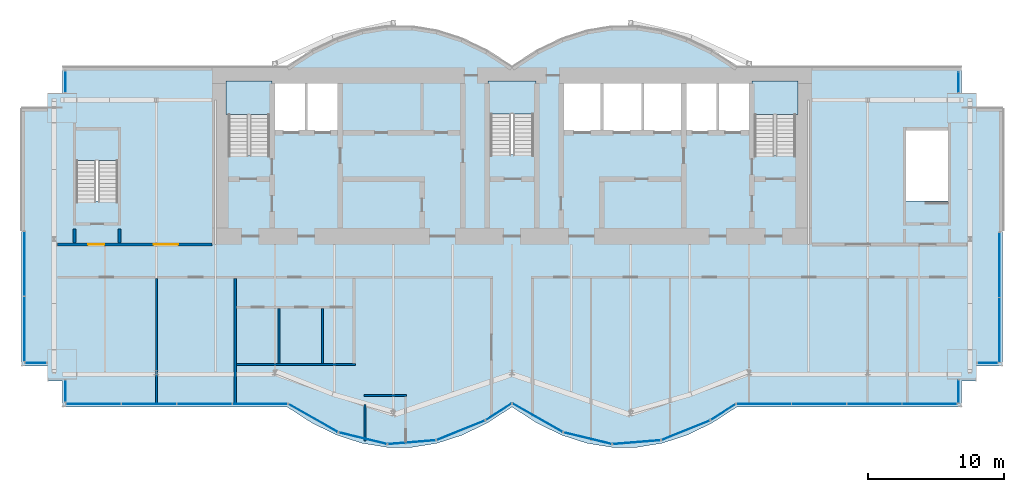
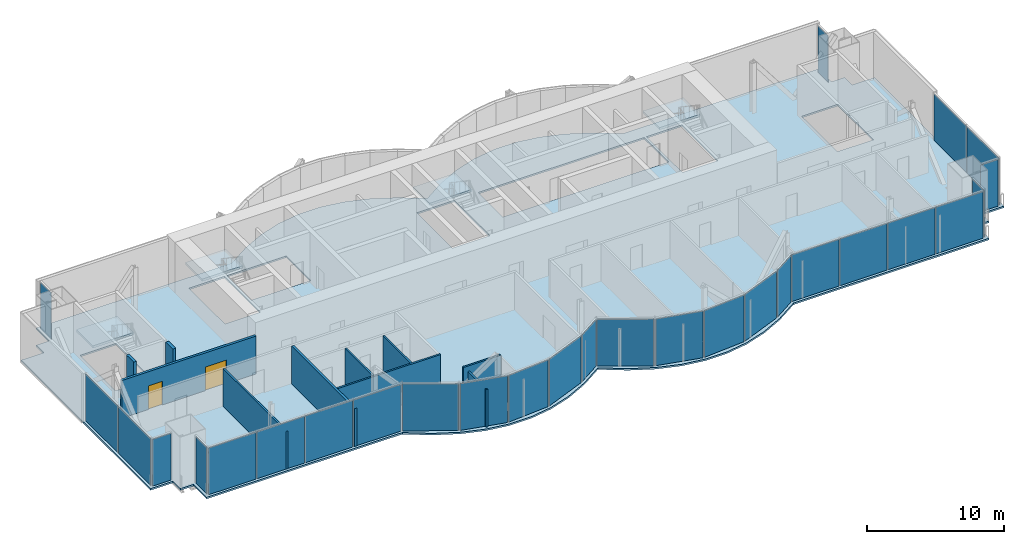
# One storey, part 9 of 16: 28 plates, 10 walls, 5 slabs, 2 doors, 2 openings, 16 elements without a shape of their own.
"""IFC4 building model written with IfcOpenShell, lengths in metres."""

from ifc_helpers import new_model, si_unit, direction, frame, frame_2d, origin, origin_2d, place, context, subcontext, project, spatial, polyline, rectangle, outline, extrude, material, layer, layer_set, type_object, element, fill, aggregate, save


model = new_model("IFC4")

# Units and contexts
model_context = context("Model", 3, precision=1e-05, world=origin(), true_north=direction((0.0, 1.0)))
body_context = subcontext(model_context, "Body", "Model", "MODEL_VIEW")
ifc_project = project(units=[si_unit("LENGTHUNIT", "METRE"), si_unit("AREAUNIT", "SQUARE_METRE"), si_unit("VOLUMEUNIT", "CUBIC_METRE"), si_unit("PLANEANGLEUNIT", "RADIAN"), si_unit("MASSUNIT", "GRAM", prefix="KILO")], contexts=[model_context])

# Site, building, storey
site_placement = place(None, origin())
site = spatial("IfcSite", under=ifc_project, at=site_placement, CompositionType="ELEMENT")
building_placement = place(site_placement, origin())
building = spatial("IfcBuilding", under=site, at=building_placement, Name="Bicima Exchange Tower", CompositionType="ELEMENT")
storey_placement = place(building_placement, frame((0.0, 0.0, 338.0)))
storey = spatial("IfcBuildingStorey", under=building, at=storey_placement, Name="L76", CompositionType="ELEMENT", Elevation=338.0)

# Slab
ifc_material_1 = material(Name="Concrete C40/50", Category="concrete")
ifc_layer_1 = layer(ifc_material_1, 0.14990234375)
ifc_layer_set_1 = layer_set([ifc_layer_1], Name="Concrete C40/50")
slab_type_1 = type_object("IfcSlabType", Name="Composite floor slab 150", PredefinedType="FLOOR", material=ifc_layer_set_1)
slab_1_placement = place(storey_placement, frame((0.0, 0.0, -0.14990234375)))
element("IfcSlab", 1, at=slab_1_placement, inside=storey, type_object=slab_type_1, Name="Floor slab", PredefinedType="FLOOR", context=body_context, shape_type="SweptSolid", body=[
    extrude(outline(polyline([(-36.0, -21.919921875), (-36.0, -3.0), (-34.10009765625, -3.0), (-34.10009765625, -1.89990234375), (-33.0, -1.89990234375), (-33.0, 0.0), (-16.5, 0.0), (-14.666748046875, 1.185302734375), (-12.833251953125, 2.07421875), (-11.0, 2.666748046875), (-9.166748046875, 2.962890625), (-7.333251953125, 2.962890625), (-5.5, 2.666748046875), (-3.666748046875, 2.07421875), (-1.833251953125, 1.185302734375), (0.0, 0.0), (1.833251953125, 1.185302734375), (3.666748046875, 2.07421875), (5.5, 2.666748046875), (7.333251953125, 2.962890625), (9.166748046875, 2.962890625), (11.0, 2.666748046875), (12.833251953125, 2.07421875), (14.666748046875, 1.185302734375), (16.5, 0.0), (33.0, 0.0), (33.0, -1.89990234375), (34.10009765625, -1.89990234375), (34.10009765625, -3.0), (36.0, -3.0), (36.0, -21.919921875), (34.10009765625, -21.919921875), (34.10009765625, -23.02001953125), (33.0, -23.02001953125), (33.0, -24.919921875), (16.5, -24.919921875), (14.666748046875, -26.105224609375), (12.833251953125, -26.994140625), (11.0, -27.586669921875), (9.166748046875, -27.883056640625), (7.333251953125, -27.883056640625), (5.5, -27.586669921875), (3.666748046875, -26.994140625), (1.833251953125, -26.105224609375), (0.0, -24.919921875), (-1.833251953125, -26.105224609375), (-3.666748046875, -26.994140625), (-5.5, -27.586669921875), (-7.333251953125, -27.883056640625), (-9.166748046875, -27.883056640625), (-11.0, -27.586669921875), (-12.833251953125, -26.994140625), (-14.666748046875, -26.105224609375), (-16.5, -24.919921875), (-33.0, -24.919921875), (-33.0, -23.02001953125), (-34.10009765625, -23.02001953125), (-34.10009765625, -21.919921875), (-36.0, -21.919921875)]), holes=[polyline([(-28.925048828125, -9.824951171875), (-28.925048828125, -4.625), (-31.97509765625, -4.625), (-31.97509765625, -9.824951171875), (-28.925048828125, -9.824951171875)]), polyline([(-20.800048828125, -6.449951171875), (-17.800048828125, -6.449951171875), (-17.800048828125, -1.199951171875), (-20.800048828125, -1.199951171875), (-20.800048828125, -6.449951171875)]), polyline([(-1.574951171875, -6.39990234375), (1.574951171875, -6.39990234375), (1.574951171875, -1.199951171875), (-1.574951171875, -1.199951171875), (-1.574951171875, -6.39990234375)]), polyline([(-12.60009765625, -1.199951171875), (-15.10009765625, -1.199951171875), (-17.60009765625, -1.199951171875), (-17.60009765625, -4.800048828125), (-15.10009765625, -4.800048828125), (-12.60009765625, -4.800048828125), (-12.60009765625, -1.199951171875)]), polyline([(3.60009765625, -4.800048828125), (6.60009765625, -4.800048828125), (9.60009765625, -4.800048828125), (12.60009765625, -4.800048828125), (15.10009765625, -4.800048828125), (17.60009765625, -4.800048828125), (17.60009765625, -1.199951171875), (15.10009765625, -1.199951171875), (12.60009765625, -1.199951171875), (9.60009765625, -1.199951171875), (6.60009765625, -1.199951171875), (3.60009765625, -1.199951171875), (3.60009765625, -4.800048828125)]), polyline([(31.97509765625, -9.824951171875), (31.97509765625, -4.625), (28.925048828125, -4.625), (28.925048828125, -9.824951171875), (31.97509765625, -9.824951171875)]), polyline([(17.800048828125, -6.449951171875), (20.800048828125, -6.449951171875), (20.800048828125, -1.199951171875), (17.800048828125, -1.199951171875), (17.800048828125, -6.449951171875)])]), origin(), (0.0, 0.0, 1.0), 0.14990234375),
])

# Curtain wall, plate
ifc_material_2 = material(Name="Anodised bronze aluminium", Category="aluminium")
curtain_wall_type_1 = type_object("IfcCurtainWallType", Name="End face glass wall", PredefinedType="NOTDEFINED", material=ifc_material_2)
curtain_wall_1_placement = place(storey_placement, origin())
curtain_wall_1 = element("IfcCurtainWall", 2, at=curtain_wall_1_placement, inside=storey, type_object=curtain_wall_type_1, Name="End face glass wall L76 run 2", PredefinedType="NOTDEFINED")
ifc_material_3 = material(Name="Bronze tinted glass", Category="glass")
ifc_layer_2 = layer(ifc_material_3, 0.031982421875)
ifc_layer_set_2 = layer_set([ifc_layer_2], Name="Bronze tinted glass")
plate_type_1 = type_object("IfcPlateType", Name="End face glass wall glass panel 32", PredefinedType="CURTAIN_PANEL", material=ifc_layer_set_2)
plate_1_placement = place(storey_placement, frame((-35.77001953125, -14.41748046875, 0.0), z_axis=(0.0, 0.0, 1.0), x_axis=(0.0, -1.0, 0.0)))
plate_1 = element("IfcPlate", 3, at=plate_1_placement, type_object=plate_type_1, Name="End face glass wall panel 1.1", PredefinedType="CURTAIN_PANEL", context=body_context, shape_type="SweptSolid", body=[
    extrude(rectangle(XDim=4.715087890625, YDim=0.031982421875, at=origin_2d()), origin(), (0.0, 0.0, 1.0), 4.159912109375),
])

curtain_wall_2_placement = place(storey_placement, origin())
curtain_wall_2 = element("IfcCurtainWall", 4, at=curtain_wall_2_placement, inside=storey, type_object=curtain_wall_type_1, Name="End face glass wall L76 run 19", PredefinedType="NOTDEFINED")
plate_2_placement = place(storey_placement, frame((35.77001953125, -14.49755859375, 0.0), z_axis=(0.0, 0.0, 1.0), x_axis=(0.0, 1.0, 0.0)))
plate_2 = element("IfcPlate", 5, at=plate_2_placement, type_object=plate_type_1, Name="End face glass wall panel 2.1", PredefinedType="CURTAIN_PANEL", context=body_context, shape_type="SweptSolid", body=[
    extrude(rectangle(XDim=4.715087890625, YDim=0.031982421875, at=origin_2d()), origin(), (0.0, 0.0, 1.0), 4.159912109375),
])

# Plate
ifc_material_4 = material(Name="Bronze anodised aluminium", Category="aluminium")
ifc_layer_3 = layer(ifc_material_4, 0.031982421875)
ifc_layer_set_3 = layer_set([ifc_layer_3], Name="Bronze anodised aluminium")
plate_type_2 = type_object("IfcPlateType", Name="End face glass wall spandrel panel 32", PredefinedType="CURTAIN_PANEL", material=ifc_layer_set_3)
plate_3_placement = place(storey_placement, frame((-35.77001953125, -19.1923828125, 0.0), z_axis=(0.0, 0.0, 1.0), x_axis=(0.0, -1.0, 0.0)))
plate_3 = element("IfcPlate", 6, at=plate_3_placement, type_object=plate_type_2, Name="End face spandrel wall panel 2.1", PredefinedType="CURTAIN_PANEL", context=body_context, shape_type="SweptSolid", body=[
    extrude(rectangle(XDim=4.715087890625, YDim=0.031982421875, at=origin_2d()), origin(), (0.0, 0.0, 1.0), 4.159912109375),
])

aggregate(curtain_wall_1, [plate_1, plate_3])

plate_4_placement = place(storey_placement, frame((35.77001953125, -19.2724609375, 0.0), z_axis=(0.0, 0.0, 1.0), x_axis=(0.0, 1.0, 0.0)))
plate_4 = element("IfcPlate", 7, at=plate_4_placement, type_object=plate_type_2, Name="End face spandrel wall panel 1.1", PredefinedType="CURTAIN_PANEL", context=body_context, shape_type="SweptSolid", body=[
    extrude(rectangle(XDim=4.715087890625, YDim=0.031982421875, at=origin_2d()), origin(), (0.0, 0.0, 1.0), 4.159912109375),
])

aggregate(curtain_wall_2, [plate_4, plate_2])

# Curtain wall, plate
curtain_wall_type_2 = type_object("IfcCurtainWallType", Name="Front glass wall", PredefinedType="NOTDEFINED", material=ifc_material_2)
curtain_wall_3_placement = place(storey_placement, origin())
curtain_wall_3 = element("IfcCurtainWall", 8, at=curtain_wall_3_placement, inside=storey, type_object=curtain_wall_type_2, Name="Front glass wall L76 run 1", PredefinedType="NOTDEFINED")
ifc_layer_4 = layer(ifc_material_3, 0.031982421875)
ifc_layer_set_4 = layer_set([ifc_layer_4], Name="Bronze tinted glass")
plate_type_3 = type_object("IfcPlateType", Name="Front glass wall glass panel 32", PredefinedType="CURTAIN_PANEL", material=ifc_layer_set_4)
plate_5_placement = place(storey_placement, frame((-32.77001953125, -1.06494140625, 0.0), z_axis=(0.0, 0.0, 1.0), x_axis=(0.0, -1.0, 0.0)))
plate_5 = element("IfcPlate", 9, at=plate_5_placement, type_object=plate_type_3, Name="Front glass wall panel 1.1", PredefinedType="CURTAIN_PANEL", context=body_context, shape_type="SweptSolid", body=[
    extrude(rectangle(XDim=1.550048828125, YDim=0.031982421875, at=origin_2d()), origin(), (0.0, 0.0, 1.0), 4.159912109375),
])
aggregate(curtain_wall_3, [plate_5])

curtain_wall_4_placement = place(storey_placement, origin())
curtain_wall_4 = element("IfcCurtainWall", 10, at=curtain_wall_4_placement, inside=storey, type_object=curtain_wall_type_2, Name="Front glass wall L76 run 3", PredefinedType="NOTDEFINED")
plate_6_placement = place(storey_placement, frame((-34.93505859375, -21.68994140625, 0.0), z_axis=(0.0, 0.0, 1.0), x_axis=(1.0, 0.0, 0.0)))
plate_6 = element("IfcPlate", 11, at=plate_6_placement, type_object=plate_type_3, Name="Front glass wall panel 1.1", PredefinedType="CURTAIN_PANEL", context=body_context, shape_type="SweptSolid", body=[
    extrude(rectangle(XDim=1.550048828125, YDim=0.031982421875, at=origin_2d()), origin(), (0.0, 0.0, 1.0), 4.159912109375),
])
aggregate(curtain_wall_4, [plate_6])

curtain_wall_5_placement = place(storey_placement, origin())
curtain_wall_5 = element("IfcCurtainWall", 12, at=curtain_wall_5_placement, inside=storey, type_object=curtain_wall_type_2, Name="Front glass wall L76 run 4", PredefinedType="NOTDEFINED")
plate_7_placement = place(storey_placement, frame((-32.77001953125, -23.75390625, 0.0), z_axis=(0.0, 0.0, 1.0), x_axis=(0.0, -1.0, 0.0)))
plate_7 = element("IfcPlate", 13, at=plate_7_placement, type_object=plate_type_3, Name="Front glass wall panel 1.1", PredefinedType="CURTAIN_PANEL", context=body_context, shape_type="SweptSolid", body=[
    extrude(rectangle(XDim=1.592041015625, YDim=0.031982421875, at=origin_2d()), origin(), (0.0, 0.0, 1.0), 4.159912109375),
])
aggregate(curtain_wall_5, [plate_7])

# Curtain wall, plates
curtain_wall_6_placement = place(storey_placement, origin())
curtain_wall_6 = element("IfcCurtainWall", 14, at=curtain_wall_6_placement, inside=storey, type_object=curtain_wall_type_2, Name="Front glass wall L76 run 5", PredefinedType="NOTDEFINED")
plate_8_placement = place(storey_placement, frame((-22.56640625, -24.68994140625, 0.0), z_axis=(0.0, 0.0, 1.0), x_axis=(1.0, 0.0, 0.0)))
plate_8 = element("IfcPlate", 15, at=plate_8_placement, type_object=plate_type_3, Name="Front glass wall panel 3.1", PredefinedType="CURTAIN_PANEL", context=body_context, shape_type="SweptSolid", body=[
    extrude(rectangle(XDim=4.009521484375, YDim=0.031982421875, at=origin_2d()), origin(), (0.0, 0.0, 1.0), 4.159912109375),
])
plate_9_placement = place(storey_placement, frame((-18.496826171875, -24.68994140625, 0.0), z_axis=(0.0, 0.0, 1.0), x_axis=(1.0, 0.0, 0.0)))
plate_9 = element("IfcPlate", 16, at=plate_9_placement, type_object=plate_type_3, Name="Front glass wall panel 4.1", PredefinedType="CURTAIN_PANEL", context=body_context, shape_type="SweptSolid", body=[
    extrude(rectangle(XDim=4.009521484375, YDim=0.031982421875, at=origin_2d()), origin(), (0.0, 0.0, 1.0), 4.159912109375),
])

curtain_wall_7_placement = place(storey_placement, origin())
curtain_wall_7 = element("IfcCurtainWall", 17, at=curtain_wall_7_placement, inside=storey, type_object=curtain_wall_type_2, Name="Front glass wall L76 run 6", PredefinedType="NOTDEFINED")
plate_10_placement = place(storey_placement, frame((-14.589599609375, -25.735107421875, 0.0), z_axis=(0.0, 0.0, 1.0), x_axis=(0.869805110681, -0.493395449343, 0.0)))
plate_10 = element("IfcPlate", 18, at=plate_10_placement, type_object=plate_type_3, Name="Front glass wall panel 1.1", PredefinedType="CURTAIN_PANEL", context=body_context, shape_type="SweptSolid", body=[
    extrude(rectangle(XDim=4.1162109375, YDim=0.031982421875, at=origin_2d()), origin(), (0.0, 0.0, 1.0), 4.159912109375),
])
plate_11_placement = place(storey_placement, frame((-10.94775390625, -27.216552734375, 0.0), z_axis=(0.0, 0.0, 1.0), x_axis=(0.971830343553, -0.235681529503, 0.0)))
plate_11 = element("IfcPlate", 19, at=plate_11_placement, type_object=plate_type_3, Name="Front glass wall panel 1.1", PredefinedType="CURTAIN_PANEL", context=body_context, shape_type="SweptSolid", body=[
    extrude(rectangle(XDim=3.583251953125, YDim=0.031982421875, at=origin_2d()), origin(), (0.0, 0.0, 1.0), 4.159912109375),
])
plate_12_placement = place(storey_placement, frame((-0.97314453125, -25.275146484375, 0.0), z_axis=(0.0, 0.0, 1.0), x_axis=(0.839798994301, 0.542897457326, 0.0)))
plate_12 = element("IfcPlate", 20, at=plate_12_placement, type_object=plate_type_3, Name="Front glass wall panel 1.1", PredefinedType="CURTAIN_PANEL", context=body_context, shape_type="SweptSolid", body=[
    extrude(rectangle(XDim=2.197509765625, YDim=0.031982421875, at=origin_2d()), origin(), (0.0, 0.0, 1.0), 4.159912109375),
])

curtain_wall_8_placement = place(storey_placement, origin())
curtain_wall_8 = element("IfcCurtainWall", 21, at=curtain_wall_8_placement, inside=storey, type_object=curtain_wall_type_2, Name="Front glass wall L76 run 11", PredefinedType="NOTDEFINED")
plate_13_placement = place(storey_placement, frame((9.14892578125, -27.5078125, 0.0), z_axis=(0.0, 0.0, 1.0), x_axis=(0.99674744821, 0.080588612633, 0.0)))
plate_13 = element("IfcPlate", 22, at=plate_13_placement, type_object=plate_type_3, Name="Front glass wall panel 1.1", PredefinedType="CURTAIN_PANEL", context=body_context, shape_type="SweptSolid", body=[
    extrude(rectangle(XDim=3.486083984375, YDim=0.031982421875, at=origin_2d()), origin(), (0.0, 0.0, 1.0), 4.159912109375),
])
plate_14_placement = place(storey_placement, frame((12.749755859375, -26.63330078125, 0.0), z_axis=(0.0, 0.0, 1.0), x_axis=(0.92714396679, 0.374705304, 0.0)))
plate_14 = element("IfcPlate", 23, at=plate_14_placement, type_object=plate_type_3, Name="Front glass wall panel 1.1", PredefinedType="CURTAIN_PANEL", context=body_context, shape_type="SweptSolid", body=[
    extrude(rectangle(XDim=3.771240234375, YDim=0.031982421875, at=origin_2d()), origin(), (0.0, 0.0, 1.0), 4.159912109375),
])
plate_15_placement = place(storey_placement, frame((15.492919921875, -25.297119140625, 0.0), z_axis=(0.0, 0.0, 1.0), x_axis=(0.839791413941, 0.542909183079, 0.0)))
plate_15 = element("IfcPlate", 24, at=plate_15_placement, type_object=plate_type_3, Name="Front glass wall panel 1.1", PredefinedType="CURTAIN_PANEL", context=body_context, shape_type="SweptSolid", body=[
    extrude(rectangle(XDim=2.11669921875, YDim=0.031982421875, at=origin_2d()), origin(), (0.0, 0.0, 1.0), 4.159912109375),
])

curtain_wall_9_placement = place(storey_placement, origin())
curtain_wall_9 = element("IfcCurtainWall", 25, at=curtain_wall_9_placement, inside=storey, type_object=curtain_wall_type_2, Name="Front glass wall L76 run 16", PredefinedType="NOTDEFINED")
plate_16_placement = place(storey_placement, frame((18.48681640625, -24.68994140625, 0.0), z_axis=(0.0, 0.0, 1.0), x_axis=(1.0, 0.0, 0.0)))
plate_16 = element("IfcPlate", 26, at=plate_16_placement, type_object=plate_type_3, Name="Front glass wall panel 1.1", PredefinedType="CURTAIN_PANEL", context=body_context, shape_type="SweptSolid", body=[
    extrude(rectangle(XDim=3.989501953125, YDim=0.031982421875, at=origin_2d()), origin(), (0.0, 0.0, 1.0), 4.159912109375),
])
plate_17_placement = place(storey_placement, frame((22.536376953125, -24.68994140625, 0.0), z_axis=(0.0, 0.0, 1.0), x_axis=(1.0, 0.0, 0.0)))
plate_17 = element("IfcPlate", 27, at=plate_17_placement, type_object=plate_type_3, Name="Front glass wall panel 2.1", PredefinedType="CURTAIN_PANEL", context=body_context, shape_type="SweptSolid", body=[
    extrude(rectangle(XDim=3.989501953125, YDim=0.031982421875, at=origin_2d()), origin(), (0.0, 0.0, 1.0), 4.159912109375),
])

# Curtain wall, plate
curtain_wall_10_placement = place(storey_placement, origin())
curtain_wall_10 = element("IfcCurtainWall", 28, at=curtain_wall_10_placement, inside=storey, type_object=curtain_wall_type_2, Name="Front glass wall L76 run 17", PredefinedType="NOTDEFINED")
plate_18_placement = place(storey_placement, frame((32.77001953125, -23.7939453125, 0.0), z_axis=(0.0, 0.0, 1.0), x_axis=(0.0, 1.0, 0.0)))
plate_18 = element("IfcPlate", 29, at=plate_18_placement, type_object=plate_type_3, Name="Front glass wall panel 1.1", PredefinedType="CURTAIN_PANEL", context=body_context, shape_type="SweptSolid", body=[
    extrude(rectangle(XDim=1.672119140625, YDim=0.031982421875, at=origin_2d()), origin(), (0.0, 0.0, 1.0), 4.159912109375),
])
aggregate(curtain_wall_10, [plate_18])

curtain_wall_11_placement = place(storey_placement, origin())
curtain_wall_11 = element("IfcCurtainWall", 30, at=curtain_wall_11_placement, inside=storey, type_object=curtain_wall_type_2, Name="Front glass wall L76 run 18", PredefinedType="NOTDEFINED")
plate_19_placement = place(storey_placement, frame((34.89501953125, -21.68994140625, 0.0), z_axis=(0.0, 0.0, 1.0), x_axis=(1.0, 0.0, 0.0)))
plate_19 = element("IfcPlate", 31, at=plate_19_placement, type_object=plate_type_3, Name="Front glass wall panel 1.1", PredefinedType="CURTAIN_PANEL", context=body_context, shape_type="SweptSolid", body=[
    extrude(rectangle(XDim=1.469970703125, YDim=0.031982421875, at=origin_2d()), origin(), (0.0, 0.0, 1.0), 4.159912109375),
])
aggregate(curtain_wall_11, [plate_19])

curtain_wall_12_placement = place(storey_placement, origin())
curtain_wall_12 = element("IfcCurtainWall", 32, at=curtain_wall_12_placement, inside=storey, type_object=curtain_wall_type_2, Name="Front glass wall L76 run 20", PredefinedType="NOTDEFINED")
plate_20_placement = place(storey_placement, frame((32.77001953125, -1.10498046875, 0.0), z_axis=(0.0, 0.0, 1.0), x_axis=(0.0, 1.0, 0.0)))
plate_20 = element("IfcPlate", 33, at=plate_20_placement, type_object=plate_type_3, Name="Front glass wall panel 1.1", PredefinedType="CURTAIN_PANEL", context=body_context, shape_type="SweptSolid", body=[
    extrude(rectangle(XDim=1.469970703125, YDim=0.031982421875, at=origin_2d()), origin(), (0.0, 0.0, 1.0), 4.159912109375),
])
aggregate(curtain_wall_12, [plate_20])

# Plate
ifc_layer_5 = layer(ifc_material_4, 0.031982421875)
ifc_layer_set_5 = layer_set([ifc_layer_5], Name="Bronze anodised aluminium")
plate_type_4 = type_object("IfcPlateType", Name="Front glass wall spandrel panel 32", PredefinedType="CURTAIN_PANEL", material=ifc_layer_set_5)
plate_21_placement = place(storey_placement, frame((-30.705322265625, -24.68994140625, 0.0), z_axis=(0.0, 0.0, 1.0), x_axis=(1.0, 0.0, 0.0)))
plate_21 = element("IfcPlate", 34, at=plate_21_placement, type_object=plate_type_4, Name="Front spandrel wall panel 1.1", PredefinedType="CURTAIN_PANEL", context=body_context, shape_type="SweptSolid", body=[
    extrude(rectangle(XDim=4.009521484375, YDim=0.031982421875, at=origin_2d()), origin(), (0.0, 0.0, 1.0), 4.159912109375),
])

plate_22_placement = place(storey_placement, frame((-26.6357421875, -24.68994140625, 0.0), z_axis=(0.0, 0.0, 1.0), x_axis=(1.0, 0.0, 0.0)))
plate_22 = element("IfcPlate", 35, at=plate_22_placement, type_object=plate_type_4, Name="Front spandrel wall panel 2.1", PredefinedType="CURTAIN_PANEL", context=body_context, shape_type="SweptSolid", body=[
    extrude(rectangle(XDim=4.009521484375, YDim=0.031982421875, at=origin_2d()), origin(), (0.0, 0.0, 1.0), 4.159912109375),
])

aggregate(curtain_wall_6, [plate_21, plate_22, plate_8, plate_9])

plate_23_placement = place(storey_placement, frame((-7.35107421875, -27.5078125, 0.0), z_axis=(0.0, 0.0, 1.0), x_axis=(0.99674744821, 0.080588612633, 0.0)))
plate_23 = element("IfcPlate", 36, at=plate_23_placement, type_object=plate_type_4, Name="Front spandrel wall panel 1.1", PredefinedType="CURTAIN_PANEL", context=body_context, shape_type="SweptSolid", body=[
    extrude(rectangle(XDim=3.486083984375, YDim=0.031982421875, at=origin_2d()), origin(), (0.0, 0.0, 1.0), 4.159912109375),
])

plate_24_placement = place(storey_placement, frame((-3.750244140625, -26.63330078125, 0.0), z_axis=(0.0, 0.0, 1.0), x_axis=(0.92714396679, 0.374705304, 0.0)))
plate_24 = element("IfcPlate", 37, at=plate_24_placement, type_object=plate_type_4, Name="Front spandrel wall panel 1.1", PredefinedType="CURTAIN_PANEL", context=body_context, shape_type="SweptSolid", body=[
    extrude(rectangle(XDim=3.771240234375, YDim=0.031982421875, at=origin_2d()), origin(), (0.0, 0.0, 1.0), 4.159912109375),
])

aggregate(curtain_wall_7, [plate_10, plate_11, plate_23, plate_24, plate_12])

plate_25_placement = place(storey_placement, frame((1.876220703125, -25.713134765625, 0.0), z_axis=(0.0, 0.0, 1.0), x_axis=(0.869274147378, -0.494330311331, 0.0)))
plate_25 = element("IfcPlate", 38, at=plate_25_placement, type_object=plate_type_4, Name="Front spandrel wall panel 1.1", PredefinedType="CURTAIN_PANEL", context=body_context, shape_type="SweptSolid", body=[
    extrude(rectangle(XDim=4.197021484375, YDim=0.031982421875, at=origin_2d()), origin(), (0.0, 0.0, 1.0), 4.159912109375),
])

plate_26_placement = place(storey_placement, frame((5.55224609375, -27.216552734375, 0.0), z_axis=(0.0, 0.0, 1.0), x_axis=(0.971830343553, -0.235681529503, 0.0)))
plate_26 = element("IfcPlate", 39, at=plate_26_placement, type_object=plate_type_4, Name="Front spandrel wall panel 1.1", PredefinedType="CURTAIN_PANEL", context=body_context, shape_type="SweptSolid", body=[
    extrude(rectangle(XDim=3.583251953125, YDim=0.031982421875, at=origin_2d()), origin(), (0.0, 0.0, 1.0), 4.159912109375),
])

aggregate(curtain_wall_8, [plate_25, plate_26, plate_13, plate_14, plate_15])

plate_27_placement = place(storey_placement, frame((26.585693359375, -24.68994140625, 0.0), z_axis=(0.0, 0.0, 1.0), x_axis=(1.0, 0.0, 0.0)))
plate_27 = element("IfcPlate", 40, at=plate_27_placement, type_object=plate_type_4, Name="Front spandrel wall panel 3.1", PredefinedType="CURTAIN_PANEL", context=body_context, shape_type="SweptSolid", body=[
    extrude(rectangle(XDim=3.989501953125, YDim=0.031982421875, at=origin_2d()), origin(), (0.0, 0.0, 1.0), 4.159912109375),
])

plate_28_placement = place(storey_placement, frame((30.63525390625, -24.68994140625, 0.0), z_axis=(0.0, 0.0, 1.0), x_axis=(1.0, 0.0, 0.0)))
plate_28 = element("IfcPlate", 41, at=plate_28_placement, type_object=plate_type_4, Name="Front spandrel wall panel 4.1", PredefinedType="CURTAIN_PANEL", context=body_context, shape_type="SweptSolid", body=[
    extrude(rectangle(XDim=3.989501953125, YDim=0.031982421875, at=origin_2d()), origin(), (0.0, 0.0, 1.0), 4.159912109375),
])

aggregate(curtain_wall_9, [plate_16, plate_17, plate_27, plate_28])

# Stair, slab
ifc_material_5 = material(Name="Concrete C50/60", Category="concrete")
stair_type_1 = type_object("IfcStairType", Name="Exit stair", PredefinedType="HALF_TURN_STAIR", material=ifc_material_5)
stair_1_placement = place(storey_placement, origin())
stair_1 = element("IfcStair", 42, at=stair_1_placement, inside=storey, type_object=stair_type_1, Name="L76 West exit stair", PredefinedType="HALF_TURN_STAIR")
ifc_layer_6 = layer(ifc_material_5, 0.199951171875)
ifc_layer_set_6 = layer_set([ifc_layer_6], Name="Concrete C50/60")
slab_type_2 = type_object("IfcSlabType", Name="Stair landing slab", PredefinedType="LANDING", material=ifc_layer_set_6)
slab_2_placement = place(storey_placement, frame((0.0, 0.0, 2.050048828125)))
slab_2 = element("IfcSlab", 43, at=slab_2_placement, type_object=slab_type_2, Name="ST-W landing 1", PredefinedType="LANDING", context=body_context, shape_type="SweptSolid", body=[
    extrude(outline(polyline([(-17.60009765625, -3.469970703125), (-17.60009765625, -1.0), (-21.0, -1.0), (-21.0, -3.469970703125), (-17.60009765625, -3.469970703125)])), origin(), (0.0, 0.0, 1.0), 0.199951171875),
])
aggregate(stair_1, [slab_2])

stair_type_2 = type_object("IfcStairType", Name="Exit stair 1500", PredefinedType="HALF_TURN_STAIR", material=ifc_material_5)
stair_2_placement = place(storey_placement, origin())
stair_2 = element("IfcStair", 44, at=stair_2_placement, inside=storey, type_object=stair_type_2, Name="L76 Central exit stair", PredefinedType="HALF_TURN_STAIR")
slab_3_placement = place(storey_placement, frame((0.0, 0.0, 2.050048828125)))
slab_3 = element("IfcSlab", 45, at=slab_3_placement, type_object=slab_type_2, Name="ST-C landing 1", PredefinedType="LANDING", context=body_context, shape_type="SweptSolid", body=[
    extrude(outline(polyline([(1.77490234375, -3.419921875), (1.77490234375, -1.0), (-1.77490234375, -1.0), (-1.77490234375, -3.419921875), (1.77490234375, -3.419921875)])), origin(), (0.0, 0.0, 1.0), 0.199951171875),
])
aggregate(stair_2, [slab_3])

stair_3_placement = place(storey_placement, origin())
stair_3 = element("IfcStair", 46, at=stair_3_placement, inside=storey, type_object=stair_type_1, Name="L76 East exit stair", PredefinedType="HALF_TURN_STAIR")
slab_4_placement = place(storey_placement, frame((0.0, 0.0, 2.050048828125)))
slab_4 = element("IfcSlab", 47, at=slab_4_placement, type_object=slab_type_2, Name="ST-E landing 1", PredefinedType="LANDING", context=body_context, shape_type="SweptSolid", body=[
    extrude(outline(polyline([(21.0, -3.469970703125), (21.0, -1.0), (17.60009765625, -1.0), (17.60009765625, -3.469970703125), (21.0, -3.469970703125)])), origin(), (0.0, 0.0, 1.0), 0.199951171875),
])
aggregate(stair_3, [slab_4])

stair_4_placement = place(storey_placement, origin())
stair_4 = element("IfcStair", 48, at=stair_4_placement, inside=storey, type_object=stair_type_1, Name="L76 West end exit stair", PredefinedType="HALF_TURN_STAIR")
slab_5_placement = place(storey_placement, frame((0.0, 0.0, 2.050048828125)))
slab_5 = element("IfcSlab", 49, at=slab_5_placement, type_object=slab_type_2, Name="ST-WW landing 1", PredefinedType="LANDING", context=body_context, shape_type="SweptSolid", body=[
    extrude(outline(polyline([(-28.72509765625, -6.844970703125), (-28.72509765625, -4.425048828125), (-32.175048828125, -4.425048828125), (-32.175048828125, -6.844970703125), (-28.72509765625, -6.844970703125)])), origin(), (0.0, 0.0, 1.0), 0.199951171875),
])
aggregate(stair_4, [slab_5])

# Wall, openings, doors
ifc_material_6 = material(Name="Gypsum board partition")
ifc_layer_7 = layer(ifc_material_6, 0.199951171875)
ifc_layer_set_7 = layer_set([ifc_layer_7], Name="Gypsum board partition")
wall_type_1 = type_object("IfcWallType", Name="Fire-rated gypsum partition 200 EI60", PredefinedType="PARTITIONING", material=ifc_layer_set_7)
wall_1_placement = place(storey_placement, frame((-33.340087890625, -13.0, 0.0), z_axis=(0.0, 0.0, 1.0), x_axis=(1.0, 0.0, 0.0)))
wall_1 = element("IfcWall", 50, at=wall_1_placement, inside=storey, type_object=wall_type_1, Name="partition wall 6", PredefinedType="PARTITIONING", context=body_context, shape_type="SweptSolid", body=[
    extrude(rectangle(XDim=11.340087890625, YDim=0.199951171875, at=frame_2d((5.669921875, 0.0))), origin(), (0.0, 0.0, 1.0), 3.3681640625),
])
opening_1_placement = place(wall_1_placement, frame((2.239990234375, 0.0, 0.0)))
opening_1 = element("IfcOpeningElement", 51, at=opening_1_placement, cuts=wall_1, Name="Opening L76-001", PredefinedType="OPENING", context=body_context, shape_type="SweptSolid", body=[
    extrude(rectangle(XDim=1.199951171875, YDim=2.10009765625, at=frame_2d((0.60009765625, 1.050048828125))), frame((0.0, 0.11181640625, 0.0), z_axis=(0.0, -1.0, 0.0), x_axis=(1.0, 0.0, 0.0)), (0.0, 0.0, 1.0), 0.223876953125),
])
opening_2_placement = place(wall_1_placement, frame((7.0400390625, 0.0, 0.0)))
opening_2 = element("IfcOpeningElement", 52, at=opening_2_placement, cuts=wall_1, Name="Opening L76-005", PredefinedType="OPENING", context=body_context, shape_type="SweptSolid", body=[
    extrude(rectangle(XDim=1.800048828125, YDim=2.10009765625, at=frame_2d((0.89990234375, 1.050048828125))), frame((0.0, 0.11181640625, 0.0), z_axis=(0.0, -1.0, 0.0), x_axis=(1.0, 0.0, 0.0)), (0.0, 0.0, 1.0), 0.223876953125),
])
ifc_material_7 = material(Name="Steel fire door leaf", Category="steel")
door_type_1 = type_object("IfcDoorType", Name="Door 1200 swing FD30S", OperationType="SINGLE_SWING_LEFT", PredefinedType="DOOR", material=ifc_material_7)
door_1_placement = place(opening_1_placement, origin())
door_1 = element("IfcDoor", 53, at=door_1_placement, inside=storey, type_object=door_type_1, Name="Door", OperationType="SINGLE_SWING_LEFT", OverallHeight=2.10009765625, OverallWidth=1.199951171875, PredefinedType="DOOR", context=body_context, shape_type="SweptSolid", body=[
    extrude(rectangle(XDim=1.199951171875, YDim=2.10009765625, at=frame_2d((0.60009765625, 1.050048828125))), frame((0.0, 0.02490234375, 0.0), z_axis=(0.0, -1.0, 0.0), x_axis=(1.0, 0.0, 0.0)), (0.0, 0.0, 1.0), 0.050048828125),
])
fill(opening_1, door_1)
door_type_2 = type_object("IfcDoorType", Name="Door 1800 double swing FD30S", OperationType="DOUBLE_DOOR_SINGLE_SWING", PredefinedType="DOOR", material=ifc_material_7)
door_2_placement = place(opening_2_placement, origin())
door_2 = element("IfcDoor", 54, at=door_2_placement, inside=storey, type_object=door_type_2, Name="Door", OperationType="SINGLE_SWING_LEFT", OverallHeight=2.10009765625, OverallWidth=1.800048828125, PredefinedType="DOOR", context=body_context, shape_type="SweptSolid", body=[
    extrude(rectangle(XDim=1.800048828125, YDim=2.10009765625, at=frame_2d((0.89990234375, 1.050048828125))), frame((0.0, 0.02490234375, 0.0), z_axis=(0.0, -1.0, 0.0), x_axis=(1.0, 0.0, 0.0)), (0.0, 0.0, 1.0), 0.050048828125),
])
fill(opening_2, door_2)

# Walls
wall_2_placement = place(storey_placement, frame((-20.300048828125, -24.7099609375, 0.0), z_axis=(0.0, 0.0, 1.0), x_axis=(0.0, 1.0, 0.0)))
element("IfcWall", 55, at=wall_2_placement, inside=storey, type_object=wall_type_1, Name="partition wall 15", PredefinedType="PARTITIONING", context=body_context, shape_type="SweptSolid", body=[
    extrude(rectangle(XDim=9.2099609375, YDim=0.199951171875, at=frame_2d((4.60498046875, 0.0))), origin(), (0.0, 0.0, 1.0), 3.3681640625),
])
ifc_layer_8 = layer(ifc_material_6, 0.14990234375)
ifc_layer_set_8 = layer_set([ifc_layer_8], Name="Gypsum board partition")
wall_type_2 = type_object("IfcWallType", Name="Gypsum partition 150", PredefinedType="PARTITIONING", material=ifc_layer_set_8)
wall_3_placement = place(storey_placement, frame((-10.875, -24.070068359375, 0.0), z_axis=(0.0, 0.0, 1.0), x_axis=(1.0, 0.0, 0.0)))
element("IfcWall", 56, at=wall_3_placement, inside=storey, type_object=wall_type_2, Name="partition wall 1", PredefinedType="PARTITIONING", context=body_context, shape_type="SweptSolid", body=[
    extrude(rectangle(XDim=3.14990234375, YDim=0.14990234375, at=frame_2d((1.574951171875, 0.0))), origin(), (0.0, 0.0, 1.0), 3.3681640625),
])
wall_4_placement = place(storey_placement, frame((-20.199951171875, -21.800048828125, 0.0), z_axis=(0.0, 0.0, 1.0), x_axis=(1.0, 0.0, 0.0)))
element("IfcWall", 57, at=wall_4_placement, inside=storey, type_object=wall_type_2, Name="partition wall 2", PredefinedType="PARTITIONING", context=body_context, shape_type="SweptSolid", body=[
    extrude(rectangle(XDim=8.699951171875, YDim=0.14990234375, at=frame_2d((4.35009765625, 0.0))), origin(), (0.0, 0.0, 1.0), 3.3681640625),
])
wall_5_placement = place(storey_placement, frame((-26.10009765625, -24.7099609375, 0.0), z_axis=(0.0, 0.0, 1.0), x_axis=(0.0, 1.0, 0.0)))
element("IfcWall", 58, at=wall_5_placement, inside=storey, type_object=wall_type_2, Name="partition wall 14", PredefinedType="PARTITIONING", context=body_context, shape_type="SweptSolid", body=[
    extrude(rectangle(XDim=9.2099609375, YDim=0.14990234375, at=frame_2d((4.60498046875, 0.0))), origin(), (0.0, 0.0, 1.0), 3.3681640625),
])
for number, where, z_axis, x_axis, name in (
    (59, (-17.10009765625, -21.72509765625, 0.0), (0.0, 0.0, 1.0), (0.0, 1.0, 0.0), "partition wall 16"),
    (60, (-13.89990234375, -21.72509765625, 0.0), (0.0, 0.0, 1.0), (0.0, 1.0, 0.0), "partition wall 17"),
):
    element("IfcWall", number, at=place(storey_placement, frame(where, z_axis=z_axis, x_axis=x_axis)), inside=storey, type_object=wall_type_2, Name=name, PredefinedType="PARTITIONING", context=body_context, shape_type="SweptSolid", body=[
        extrude(rectangle(XDim=4.025146484375, YDim=0.14990234375, at=frame_2d((2.0126953125, 0.0))), origin(), (0.0, 0.0, 1.0), 3.3681640625),
    ])
wall_6_placement = place(storey_placement, frame((-10.800048828125, -27.409912109375, 0.0), z_axis=(0.0, 0.0, 1.0), x_axis=(0.0, 1.0, 0.0)))
element("IfcWall", 61, at=wall_6_placement, inside=storey, type_object=wall_type_2, Name="partition wall 19", PredefinedType="PARTITIONING", context=body_context, shape_type="SweptSolid", body=[
    extrude(rectangle(XDim=2.664794921875, YDim=0.14990234375, at=frame_2d((1.33251953125, 0.0))), origin(), (0.0, 0.0, 1.0), 3.3681640625),
])
ifc_layer_9 = layer(ifc_material_5, 0.25)
ifc_layer_set_9 = layer_set([ifc_layer_9], Name="Concrete C50/60")
wall_type_3 = type_object("IfcWallType", Name="RC core wall 250 C50/60", PredefinedType="SHEAR", material=ifc_layer_set_9)
for number, where, z_axis, x_axis, name in (
    (62, (-32.10009765625, -12.89990234375, 0.0), (0.0, 0.0, 1.0), (0.0, 1.0, 0.0), "stair wall 12"),
    (63, (-28.800048828125, -12.89990234375, 0.0), (0.0, 0.0, 1.0), (0.0, 1.0, 0.0), "stair wall 13"),
):
    element("IfcWall", number, at=place(storey_placement, frame(where, z_axis=z_axis, x_axis=x_axis)), inside=storey, type_object=wall_type_3, Name=name, PredefinedType="SHEAR", context=body_context, shape_type="SweptSolid", body=[
        extrude(rectangle(XDim=1.0498046875, YDim=0.25, at=frame_2d((0.52490234375, 0.0))), origin(), (0.0, 0.0, 1.0), 4.5),
    ])

save(model, "model.ifc")
